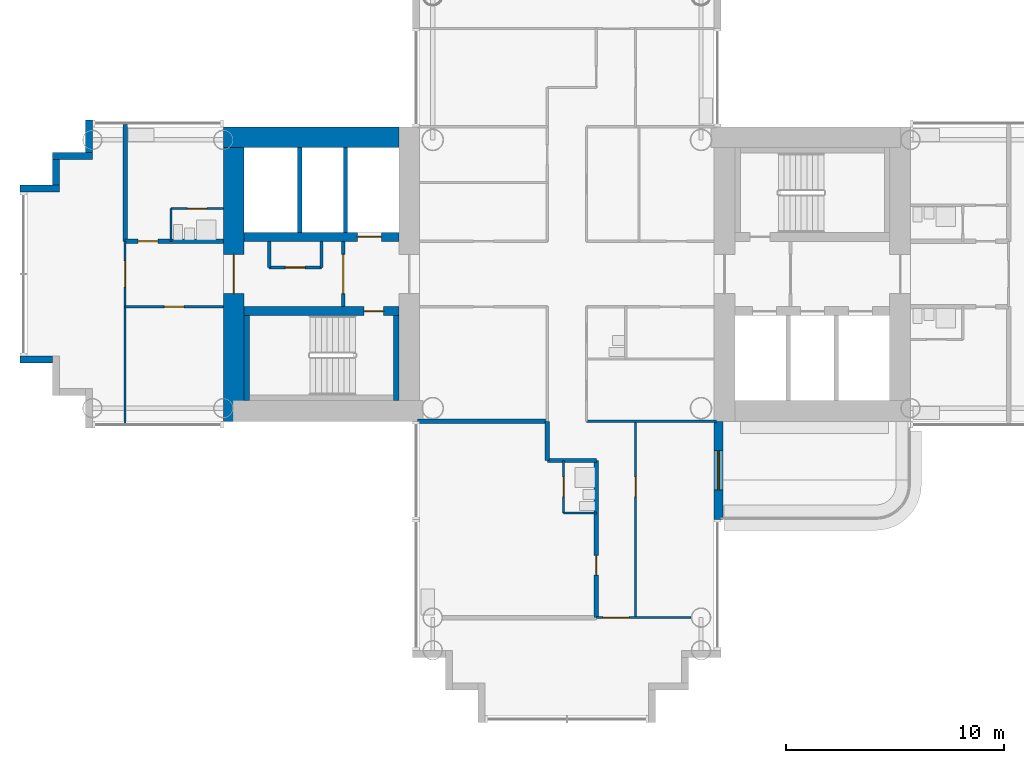
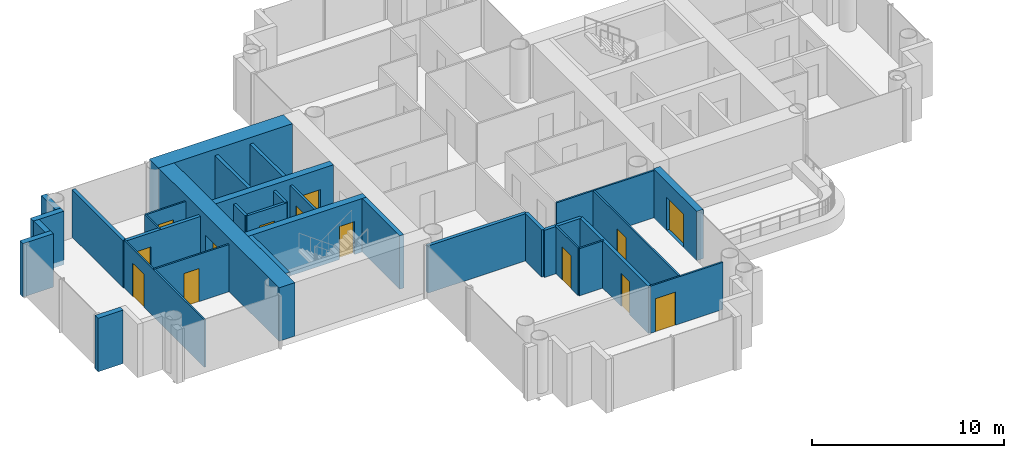
# One storey, part 9 of 21: 33 walls, 14 doors, 14 openings.
"""IFC4 building model written with IfcOpenShell, lengths in metres."""

import ifcopenshell
import ifcopenshell.guid

model = None  # the IFC model being written
_history = None  # IfcOwnerHistory: only IFC2X3 demands one
_inside = {}  # id of a spatial element -> (the spatial element, [elements in it])
_under = {}  # id of a project, library or spatial element -> (it, [spatial elements below it])
_declared = {}  # id of a project -> (the project, [libraries it declares])
_typed = {}  # id of a type object -> (the type object, [elements of that type])
_made_of = {}  # id of a material, layer set ... -> (it, [elements and type objects made of it])


def new_model(schema):
    """Start an empty IFC model of exactly this schema.

    Asked for "IFC4X3", IfcOpenShell would pick the latest addendum, in which some entities
    have other attributes; the version numbers below select the first issue.
    IFC2X3 requires an IfcOwnerHistory on every rooted entity: one is made here for all.
    """
    global model, _history
    if schema == "IFC4X3":
        model = ifcopenshell.file(schema_version=(4, 3, 0, 0))
    else:
        model = ifcopenshell.file(schema=schema)
    _inside.clear()
    _under.clear()
    _declared.clear()
    _typed.clear()
    _made_of.clear()
    _history = None
    if model.schema == "IFC2X3":
        org = make("IfcOrganization", Name="unknown")
        user = make(
            "IfcPersonAndOrganization",
            ThePerson=make("IfcPerson", FamilyName="unknown"),
            TheOrganization=org,
        )
        app = make(
            "IfcApplication",
            ApplicationDeveloper=org,
            Version="unknown",
            ApplicationFullName="unknown",
            ApplicationIdentifier="unknown",
        )
        _history = make(
            "IfcOwnerHistory",
            OwningUser=user,
            OwningApplication=app,
            ChangeAction="ADDED",
            CreationDate=0,
        )
    return model


def make(cls, **values):
    """One entity of the class cls with the attributes given. An attribute that is None is left unset."""
    return model.create_entity(
        cls, **{name: value for name, value in values.items() if value is not None}
    )


def rooted(cls, **values):
    """An entity with a GlobalId (a new one), such as an element, a storey or a relation."""
    return make(cls, GlobalId=ifcopenshell.guid.new(), OwnerHistory=_history, **values)


def si_unit(unit_type, name, prefix=None):
    """IfcSIUnit, for example si_unit("LENGTHUNIT", "METRE", prefix="MILLI")."""
    return make("IfcSIUnit", UnitType=unit_type, Prefix=prefix, Name=name)


def assignment(units):
    """IfcUnitAssignment: the units of a project."""
    return None if units is None else make("IfcUnitAssignment", Units=units)


def point(xyz):
    """IfcCartesianPoint."""
    return None if xyz is None else make("IfcCartesianPoint", Coordinates=xyz)


def direction(xyz):
    """IfcDirection."""
    return None if xyz is None else make("IfcDirection", DirectionRatios=xyz)


def frame(location, z_axis=None, x_axis=None):
    """IfcAxis2Placement3D, a coordinate frame: its origin and axes. An axis left out is left unset."""
    return make(
        "IfcAxis2Placement3D",
        Location=point(location),
        Axis=direction(z_axis),
        RefDirection=direction(x_axis),
    )


def frame_2d(location, x_axis=None):
    """IfcAxis2Placement2D, a coordinate frame in the plane: its origin and x axis."""
    return make(
        "IfcAxis2Placement2D", Location=point(location), RefDirection=direction(x_axis)
    )


def origin():
    """The frame at (0, 0, 0) with its axes left unset."""
    return frame((0.0, 0.0, 0.0))


def place(relative_to, where):
    """IfcLocalPlacement: puts the frame where relative to a parent placement (None: the world)."""
    return make(
        "IfcLocalPlacement", PlacementRelTo=relative_to, RelativePlacement=where
    )


def context(
    kind, dimensions, precision=None, world=None, true_north=None, identifier=None
):
    """IfcGeometricRepresentationContext, for example the 3D "Model" context."""
    return make(
        "IfcGeometricRepresentationContext",
        ContextIdentifier=identifier,
        ContextType=kind,
        CoordinateSpaceDimension=dimensions,
        Precision=precision,
        WorldCoordinateSystem=world,
        TrueNorth=true_north,
    )


def subcontext(parent, identifier, kind, view, scale=None):
    """IfcGeometricRepresentationSubContext, for example "Body" below "Model"."""
    return make(
        "IfcGeometricRepresentationSubContext",
        ContextIdentifier=identifier,
        ContextType=kind,
        ParentContext=parent,
        TargetScale=scale,
        TargetView=view,
    )


def project(units=None, contexts=None):
    """IfcProject with its units and contexts."""
    return rooted(
        "IfcProject",
        Name="project",
        RepresentationContexts=contexts,
        UnitsInContext=assignment(units),
    )


def spatial(cls, under=None, at=None, **own):
    """A site, building, storey or space (cls), placed at a placement, below another one or the project."""
    s = rooted(cls, ObjectPlacement=at, **own)
    if under is not None:
        _under.setdefault(under.id(), (under, []))[1].append(s)
    return s


def profile(cls, at=None, kind="AREA", **sizes):
    """A parametric profile (cls). Its sizes go by their IFC names, for example OverallWidth=200.0."""
    return make(cls, ProfileType=kind, Position=at, **sizes)


def rectangle(**sizes):
    """IfcRectangleProfileDef."""
    return profile("IfcRectangleProfileDef", **sizes)


def extrude(swept, where, along, depth):
    """IfcExtrudedAreaSolid: the profile swept, set in the frame where, extruded along a direction by depth."""
    return make(
        "IfcExtrudedAreaSolid",
        SweptArea=swept,
        Position=where,
        ExtrudedDirection=direction(along),
        Depth=depth,
    )


def shape(context_of_items, identifier, shape_type, items):
    """IfcShapeRepresentation: the items that make up one representation, for example the "Body"."""
    return make(
        "IfcShapeRepresentation",
        ContextOfItems=context_of_items,
        RepresentationIdentifier=identifier,
        RepresentationType=shape_type,
        Items=items,
    )


def material(Name=None, Category=None):
    """IfcMaterial."""
    return make("IfcMaterial", Name=Name, Category=Category)


def layer(
    of_material, thickness, ventilated=None, Name=None, Category=None, Priority=None
):
    """IfcMaterialLayer: one layer of a wall or slab, of a material (None: an air gap)."""
    return make(
        "IfcMaterialLayer",
        Material=of_material,
        LayerThickness=thickness,
        IsVentilated=ventilated,
        Name=Name,
        Category=Category,
        Priority=Priority,
    )


def layer_set(layers, Name=None):
    """IfcMaterialLayerSet."""
    return make("IfcMaterialLayerSet", MaterialLayers=layers, LayerSetName=Name)


def made_of(thing, what):
    """Note that an element or type object is made of a material, layer set ...; save() writes the relation."""
    if what is not None:
        _made_of.setdefault(what.id(), (what, []))[1].append(thing)
    return thing


def type_object(cls, material=None, **own):
    """A type object (cls), such as IfcWallType, which elements share."""
    return made_of(rooted(cls, **own), material)


def element(
    cls,
    number,
    at=None,
    inside=None,
    cuts=None,
    type_object=None,
    material=None,
    context=None,
    identifier="Body",
    shape_type=None,
    held_by="IfcProductDefinitionShape",
    body=None,
    shapes=None,
    **own,
):
    """One element of the class cls, such as IfcWall. Its Tag is "e" and its number.

    at: its placement. inside: the storey or other place that contains it. cuts: it is an
    opening in that element (IfcRelVoidsElement). A single representation is given by context,
    identifier, shape_type and body (its items); several are given by shapes. held_by: the class
    of the entity that holds the representations. save() writes the other relations.
    """
    e = rooted(cls, Tag="e%d" % number, ObjectPlacement=at, **own)
    if body is not None:
        shapes = [shape(context, identifier, shape_type, body)]
    if shapes is not None:
        e.Representation = make(held_by, Representations=shapes)
    if inside is not None:
        _inside.setdefault(inside.id(), (inside, []))[1].append(e)
    if cuts is not None:
        rooted(
            "IfcRelVoidsElement", RelatingBuildingElement=cuts, RelatedOpeningElement=e
        )
    if type_object is not None:
        _typed.setdefault(type_object.id(), (type_object, []))[1].append(e)
    return made_of(e, material)


def fill(opening, filler):
    """IfcRelFillsElement: the door or window that sits in an opening."""
    return rooted(
        "IfcRelFillsElement",
        RelatingOpeningElement=opening,
        RelatedBuildingElement=filler,
    )


def aggregate(whole, parts):
    """IfcRelAggregates: a whole, such as a stair, and the parts it consists of."""
    return rooted("IfcRelAggregates", RelatingObject=whole, RelatedObjects=parts)


def save(model, path):
    """Write the relations noted so far, then the file.

    IfcRelAggregates (storeys below a building ...), IfcRelContainedInSpatialStructure (elements
    in a storey), IfcRelDefinesByType, IfcRelAssociatesMaterial and IfcRelDeclares: one each for
    every whole, place, type object, material and project.
    """
    for whole, parts in _under.values():
        aggregate(whole, parts)
    for where, things in _inside.values():
        rooted(
            "IfcRelContainedInSpatialStructure",
            RelatedElements=things,
            RelatingStructure=where,
        )
    for kind, things in _typed.values():
        rooted("IfcRelDefinesByType", RelatedObjects=things, RelatingType=kind)
    for what, things in _made_of.values():
        rooted("IfcRelAssociatesMaterial", RelatedObjects=things, RelatingMaterial=what)
    for by, libraries in _declared.values():
        rooted("IfcRelDeclares", RelatingContext=by, RelatedDefinitions=libraries)
    model.write(path)


model = new_model("IFC4")

# Units and contexts
model_context = context("Model", 3, precision=1e-05, world=origin(), true_north=direction((0.0, 1.0)))
body_context = subcontext(model_context, "Body", "Model", "MODEL_VIEW")
ifc_project = project(units=[si_unit("LENGTHUNIT", "METRE"), si_unit("AREAUNIT", "SQUARE_METRE"), si_unit("VOLUMEUNIT", "CUBIC_METRE"), si_unit("PLANEANGLEUNIT", "RADIAN"), si_unit("MASSUNIT", "GRAM", prefix="KILO")], contexts=[model_context])

# Site, building, storey
site_placement = place(None, origin())
site = spatial("IfcSite", under=ifc_project, at=site_placement, CompositionType="ELEMENT")
building_placement = place(site_placement, origin())
building = spatial("IfcBuilding", under=site, at=building_placement, Name="Ipe Terrace Towers", CompositionType="ELEMENT")
storey_placement = place(building_placement, frame((0.0, 0.0, 103.800048828125)))
storey = spatial("IfcBuildingStorey", under=building, at=storey_placement, Name="L28", CompositionType="ELEMENT", Elevation=103.800048828125)

# Wall, opening, door
ifc_material_1 = material(Name="Concrete C40/50 with buff precast cladding", Category="concrete")
ifc_layer_1 = layer(ifc_material_1, 0.39990234375)
ifc_layer_set_1 = layer_set([ifc_layer_1], Name="BALCONY BAY WALL 400")
wall_type_1 = type_object("IfcWallType", Name="BALCONY BAY WALL 400", PredefinedType="STANDARD", material=ifc_layer_set_1)
wall_1_placement = place(storey_placement, frame((-29.050048828125, -11.25, -0.02001953125), z_axis=(0.0, 0.0, 1.0), x_axis=(0.0, 1.0, 0.0)))
wall_1 = element("IfcWall", 1, at=wall_1_placement, inside=storey, type_object=wall_type_1, Name="T1-W-L28-18a wall", PredefinedType="STANDARD", context=body_context, shape_type="SweptSolid", body=[
    extrude(rectangle(XDim=4.5, YDim=0.39990234375, at=frame_2d((2.25, 0.0))), origin(), (0.0, 0.0, 1.0), 3.119873046875),
])
opening_1_placement = place(wall_1_placement, frame((1.35009765625, 0.0, 0.02001953125)))
opening_1 = element("IfcOpeningElement", 2, at=opening_1_placement, cuts=wall_1, Name="Opening T1-D-L28-18", PredefinedType="OPENING", context=body_context, shape_type="SweptSolid", body=[
    extrude(rectangle(XDim=1.800048828125, YDim=2.10009765625, at=frame_2d((0.89990234375, 1.050048828125))), frame((0.0, 0.2099609375, 0.0), z_axis=(0.0, -1.0, 0.0), x_axis=(1.0, 0.0, 0.0)), (0.0, 0.0, 1.0), 0.419921875),
])
ifc_material_2 = material(Name="Aluminium alloy 6063-T6 framed glazed door", Category="aluminium")
door_type_1 = type_object("IfcDoorType", Name="BALCONY DOOR 1800 x 2100 LEFT", OperationType="SINGLE_SWING_LEFT", PredefinedType="DOOR", material=ifc_material_2)
door_1_placement = place(opening_1_placement, origin())
door_1 = element("IfcDoor", 3, at=door_1_placement, inside=storey, type_object=door_type_1, Name="DB1 door", OperationType="SINGLE_SWING_LEFT", OverallHeight=2.10009765625, OverallWidth=1.800048828125, PredefinedType="DOOR", context=body_context, shape_type="SweptSolid", body=[
    extrude(rectangle(XDim=1.800048828125, YDim=2.10009765625, at=frame_2d((0.89990234375, 1.050048828125))), frame((0.0, 0.02490234375, 0.0), z_axis=(0.0, -1.0, 0.0), x_axis=(1.0, 0.0, 0.0)), (0.0, 0.0, 1.0), 0.050048828125),
])
fill(opening_1, door_1)

# Walls
ifc_material_3 = material(Name="Concrete C40/50 with buff precast cladding", Category="concrete")
ifc_layer_2 = layer(ifc_material_3, 0.320068359375)
ifc_layer_set_2 = layer_set([ifc_layer_2], Name="BUFF CLADDING WALL 320")
wall_type_2 = type_object("IfcWallType", Name="BUFF CLADDING WALL 320", PredefinedType="STANDARD", material=ifc_layer_set_2)
for number, where, z_axis, x_axis, name in (
    (4, (-61.070068359375, -3.909912109375, -0.300048828125), (0.0, 0.0, 1.0), (1.0, 0.0, 0.0), "T1-W-L28-00a wall"),
    (5, (-57.909912109375, 7.070068359375, -0.300048828125), (0.0, 0.0, 1.0), (0.0, -1.0, 0.0), "T1-W-L28-47a wall"),
):
    element("IfcWall", number, at=place(storey_placement, frame(where, z_axis=z_axis, x_axis=x_axis)), inside=storey, type_object=wall_type_2, Name=name, PredefinedType="STANDARD", context=body_context, shape_type="SweptSolid", body=[
        extrude(rectangle(XDim=1.5, YDim=0.320068359375, at=frame_2d((0.75, 0.0))), origin(), (0.0, 0.0, 1.0), 3.39990234375),
    ])
wall_2_placement = place(storey_placement, frame((-57.75, 5.409912109375, -0.300048828125), z_axis=(0.0, 0.0, 1.0), x_axis=(-1.0, 0.0, 0.0)))
element("IfcWall", 6, at=wall_2_placement, inside=storey, type_object=wall_type_2, Name="T1-W-L28-48a wall", PredefinedType="STANDARD", context=body_context, shape_type="SweptSolid", body=[
    extrude(rectangle(XDim=1.820068359375, YDim=0.320068359375, at=frame_2d((0.91015625, 0.0))), origin(), (0.0, 0.0, 1.0), 3.39990234375),
])
wall_3_placement = place(storey_placement, frame((-59.409912109375, 5.25, -0.300048828125), z_axis=(0.0, 0.0, 1.0), x_axis=(0.0, -1.0, 0.0)))
element("IfcWall", 7, at=wall_3_placement, inside=storey, type_object=wall_type_2, Name="T1-W-L28-49a wall", PredefinedType="STANDARD", context=body_context, shape_type="SweptSolid", body=[
    extrude(rectangle(XDim=1.179931640625, YDim=0.320068359375, at=frame_2d((0.58984375, 0.0))), origin(), (0.0, 0.0, 1.0), 3.39990234375),
])
wall_4_placement = place(storey_placement, frame((-59.25, 3.909912109375, -0.300048828125), z_axis=(0.0, 0.0, 1.0), x_axis=(-1.0, 0.0, 0.0)))
element("IfcWall", 8, at=wall_4_placement, inside=storey, type_object=wall_type_2, Name="T1-W-L28-50a wall", PredefinedType="STANDARD", context=body_context, shape_type="SweptSolid", body=[
    extrude(rectangle(XDim=1.820068359375, YDim=0.320068359375, at=frame_2d((0.91015625, 0.0))), origin(), (0.0, 0.0, 1.0), 3.39990234375),
])

# Wall, opening, door
ifc_material_4 = material(Name="Gypsum board partition", Category="plasterboard")
ifc_layer_3 = layer(ifc_material_4, 0.10009765625)
ifc_layer_set_3 = layer_set([ifc_layer_3], Name="Gypsum board partition 100 mm")
wall_type_3 = type_object("IfcWallType", Name="Gypsum board partition 100 mm", PredefinedType="PARTITIONING", material=ifc_layer_set_3)
wall_5_placement = place(storey_placement, frame((-56.25, -6.85009765625, 0.0), z_axis=(0.0, 0.0, 1.0), x_axis=(0.0, 1.0, 0.0)))
wall_5 = element("IfcWall", 9, at=wall_5_placement, inside=storey, type_object=wall_type_3, Name="Gypsum board partition T1 L28 W01", PredefinedType="PARTITIONING", context=body_context, shape_type="SweptSolid", body=[
    extrude(rectangle(XDim=8.35009765625, YDim=0.10009765625, at=frame_2d((4.175048828125, 0.0))), origin(), (0.0, 0.0, 1.0), 3.0),
])
opening_2_placement = place(wall_5_placement, frame((6.25, 0.0, 0.0)))
opening_2 = element("IfcOpeningElement", 10, at=opening_2_placement, cuts=wall_5, Name="Opening T1-Z2E-25", PredefinedType="OPENING", context=body_context, shape_type="SweptSolid", body=[
    extrude(rectangle(XDim=1.199951171875, YDim=2.10009765625, at=frame_2d((0.60009765625, 1.050048828125))), frame((0.0, 0.06005859375, 0.0), z_axis=(0.0, -1.0, 0.0), x_axis=(1.0, 0.0, 0.0)), (0.0, 0.0, 1.0), 0.1201171875),
])
ifc_material_5 = material(Name="Timber door leaf", Category="wood")
door_type_2 = type_object("IfcDoorType", Name="Lounge door 1200 x 2100", OperationType="NOTDEFINED", PredefinedType="DOOR", material=ifc_material_5)
door_2_placement = place(opening_2_placement, origin())
door_2 = element("IfcDoor", 11, at=door_2_placement, inside=storey, type_object=door_type_2, Name="Lounge door T1-Z2E-25", OperationType="SINGLE_SWING_LEFT", OverallHeight=2.10009765625, OverallWidth=1.199951171875, PredefinedType="DOOR", context=body_context, shape_type="SweptSolid", body=[
    extrude(rectangle(XDim=1.199951171875, YDim=2.10009765625, at=frame_2d((0.60009765625, 1.050048828125))), frame((0.0, 0.02490234375, 0.0), z_axis=(0.0, -1.0, 0.0), x_axis=(1.0, 0.0, 0.0)), (0.0, 0.0, 1.0), 0.050048828125),
])
fill(opening_2, door_2)

# Wall
wall_6_placement = place(storey_placement, frame((-54.14990234375, 1.5, 0.0), z_axis=(0.0, 0.0, 1.0), x_axis=(0.0, 1.0, 0.0)))
element("IfcWall", 12, at=wall_6_placement, inside=storey, type_object=wall_type_3, Name="Gypsum board partition T1 L28 W03", PredefinedType="PARTITIONING", context=body_context, shape_type="SweptSolid", body=[
    extrude(rectangle(XDim=1.5, YDim=0.10009765625, at=frame_2d((0.75, 0.0))), origin(), (0.0, 0.0, 1.0), 3.0),
])

# Wall, opening, door
wall_7_placement = place(storey_placement, frame((-36.14990234375, -10.949951171875, 0.0), z_axis=(0.0, 0.0, 1.0), x_axis=(0.0, 1.0, 0.0)))
wall_7 = element("IfcWall", 13, at=wall_7_placement, inside=storey, type_object=wall_type_3, Name="Gypsum board partition T1 L28 W07", PredefinedType="PARTITIONING", context=body_context, shape_type="SweptSolid", body=[
    extrude(rectangle(XDim=2.39990234375, YDim=0.10009765625, at=frame_2d((1.199951171875, 0.0))), origin(), (0.0, 0.0, 1.0), 3.0),
])
opening_3_placement = place(wall_7_placement, frame((0.75, 0.0, 0.0)))
opening_3 = element("IfcOpeningElement", 14, at=opening_3_placement, cuts=wall_7, Name="Opening T1-Z2E-14", PredefinedType="OPENING", context=body_context, shape_type="SweptSolid", body=[
    extrude(rectangle(XDim=0.89990234375, YDim=2.10009765625, at=frame_2d((0.449951171875, 1.050048828125))), frame((0.0, 0.06005859375, 0.0), z_axis=(0.0, -1.0, 0.0), x_axis=(1.0, 0.0, 0.0)), (0.0, 0.0, 1.0), 0.1201171875),
])
ifc_material_6 = material(Name="Timber door leaf", Category="wood")
door_type_3 = type_object("IfcDoorType", Name="Bathroom door 900 x 2100", OperationType="NOTDEFINED", PredefinedType="DOOR", material=ifc_material_6)
door_3_placement = place(opening_3_placement, origin())
door_3 = element("IfcDoor", 15, at=door_3_placement, inside=storey, type_object=door_type_3, Name="Bathroom door T1-Z2E-14", OperationType="SINGLE_SWING_RIGHT", OverallHeight=2.10009765625, OverallWidth=0.89990234375, PredefinedType="DOOR", context=body_context, shape_type="SweptSolid", body=[
    extrude(rectangle(XDim=0.89990234375, YDim=2.10009765625, at=frame_2d((0.449951171875, 1.050048828125))), frame((0.0, 0.02490234375, 0.0), z_axis=(0.0, -1.0, 0.0), x_axis=(1.0, 0.0, 0.0)), (0.0, 0.0, 1.0), 0.050048828125),
])
fill(opening_3, door_3)

wall_8_placement = place(storey_placement, frame((-32.85009765625, -15.75, 0.0), z_axis=(0.0, 0.0, 1.0), x_axis=(0.0, 1.0, 0.0)))
wall_8 = element("IfcWall", 16, at=wall_8_placement, inside=storey, type_object=wall_type_3, Name="Gypsum board partition T1 L28 W13", PredefinedType="PARTITIONING", context=body_context, shape_type="SweptSolid", body=[
    extrude(rectangle(XDim=9.0, YDim=0.10009765625, at=frame_2d((4.5, 0.0))), origin(), (0.0, 0.0, 1.0), 3.0),
])
opening_4_placement = place(wall_8_placement, frame((5.550048828125, 0.0, 0.0)))
opening_4 = element("IfcOpeningElement", 17, at=opening_4_placement, cuts=wall_8, Name="Opening T1-Z2E-12", PredefinedType="OPENING", context=body_context, shape_type="SweptSolid", body=[
    extrude(rectangle(XDim=0.89990234375, YDim=2.10009765625, at=frame_2d((0.449951171875, 1.050048828125))), frame((0.0, 0.06005859375, 0.0), z_axis=(0.0, -1.0, 0.0), x_axis=(1.0, 0.0, 0.0)), (0.0, 0.0, 1.0), 0.1201171875),
])
ifc_material_7 = material(Name="Timber door leaf", Category="wood")
door_type_4 = type_object("IfcDoorType", Name="Lounge door 900 x 2100", OperationType="NOTDEFINED", PredefinedType="DOOR", material=ifc_material_7)
door_4_placement = place(opening_4_placement, origin())
door_4 = element("IfcDoor", 18, at=door_4_placement, inside=storey, type_object=door_type_4, Name="Lounge door T1-Z2E-12", OperationType="SINGLE_SWING_RIGHT", OverallHeight=2.10009765625, OverallWidth=0.89990234375, PredefinedType="DOOR", context=body_context, shape_type="SweptSolid", body=[
    extrude(rectangle(XDim=0.89990234375, YDim=2.10009765625, at=frame_2d((0.449951171875, 1.050048828125))), frame((0.0, 0.02490234375, 0.0), z_axis=(0.0, -1.0, 0.0), x_axis=(1.0, 0.0, 0.0)), (0.0, 0.0, 1.0), 0.050048828125),
])
fill(opening_4, door_4)

wall_9_placement = place(storey_placement, frame((-34.64990234375, -15.75, 0.0), z_axis=(0.0, 0.0, 1.0), x_axis=(1.0, 0.0, 0.0)))
wall_9 = element("IfcWall", 19, at=wall_9_placement, inside=storey, type_object=wall_type_3, Name="Gypsum board partition T1 L28 W21", PredefinedType="PARTITIONING", context=body_context, shape_type="SweptSolid", body=[
    extrude(rectangle(XDim=4.349853515625, YDim=0.10009765625, at=frame_2d((2.1748046875, 0.0))), origin(), (0.0, 0.0, 1.0), 3.0),
])
opening_5_placement = place(wall_9_placement, frame((0.300048828125, 0.0, 0.0)))
opening_5 = element("IfcOpeningElement", 20, at=opening_5_placement, cuts=wall_9, Name="Opening T1-Z2E-15", PredefinedType="OPENING", context=body_context, shape_type="SweptSolid", body=[
    extrude(rectangle(XDim=1.199951171875, YDim=2.10009765625, at=frame_2d((0.60009765625, 1.050048828125))), frame((0.0, 0.06005859375, 0.0), z_axis=(0.0, -1.0, 0.0), x_axis=(1.0, 0.0, 0.0)), (0.0, 0.0, 1.0), 0.1201171875),
])
door_5_placement = place(opening_5_placement, origin())
door_5 = element("IfcDoor", 21, at=door_5_placement, inside=storey, type_object=door_type_2, Name="Lounge door T1-Z2E-15", OperationType="SINGLE_SWING_LEFT", OverallHeight=2.10009765625, OverallWidth=1.199951171875, PredefinedType="DOOR", context=body_context, shape_type="SweptSolid", body=[
    extrude(rectangle(XDim=1.199951171875, YDim=2.10009765625, at=frame_2d((0.60009765625, 1.050048828125))), frame((0.0, 0.02490234375, 0.0), z_axis=(0.0, -1.0, 0.0), x_axis=(1.0, 0.0, 0.0)), (0.0, 0.0, 1.0), 0.050048828125),
])
fill(opening_5, door_5)

# Walls
wall_10_placement = place(storey_placement, frame((-36.14990234375, -10.949951171875, 0.0), z_axis=(0.0, 0.0, 1.0), x_axis=(1.0, 0.0, 0.0)))
element("IfcWall", 22, at=wall_10_placement, inside=storey, type_object=wall_type_3, Name="Gypsum board partition T1 L28 W23", PredefinedType="PARTITIONING", context=body_context, shape_type="SweptSolid", body=[
    extrude(rectangle(XDim=1.5, YDim=0.10009765625, at=frame_2d((0.75, 0.0))), origin(), (0.0, 0.0, 1.0), 3.0),
])
wall_11_placement = place(storey_placement, frame((-35.10009765625, -6.75, 0.0), z_axis=(0.0, 0.0, 1.0), x_axis=(1.0, 0.0, 0.0)))
element("IfcWall", 23, at=wall_11_placement, inside=storey, type_object=wall_type_3, Name="Gypsum board partition T1 L28 W25", PredefinedType="PARTITIONING", context=body_context, shape_type="SweptSolid", body=[
    extrude(rectangle(XDim=5.9501953125, YDim=0.10009765625, at=frame_2d((2.97509765625, 0.0))), origin(), (0.0, 0.0, 1.0), 3.0),
])

# Wall, opening, door
wall_12_placement = place(storey_placement, frame((-56.25, -1.5, 0.0), z_axis=(0.0, 0.0, 1.0), x_axis=(1.0, 0.0, 0.0)))
wall_12 = element("IfcWall", 24, at=wall_12_placement, inside=storey, type_object=wall_type_3, Name="Gypsum board partition T1 L28 W29", PredefinedType="PARTITIONING", context=body_context, shape_type="SweptSolid", body=[
    extrude(rectangle(XDim=4.5, YDim=0.10009765625, at=frame_2d((2.25, 0.0))), origin(), (0.0, 0.0, 1.0), 3.0),
])
opening_6_placement = place(wall_12_placement, frame((1.800048828125, 0.0, 0.0)))
opening_6 = element("IfcOpeningElement", 25, at=opening_6_placement, cuts=wall_12, Name="Opening T1-Z2E-22", PredefinedType="OPENING", context=body_context, shape_type="SweptSolid", body=[
    extrude(rectangle(XDim=0.89990234375, YDim=2.10009765625, at=frame_2d((0.449951171875, 1.050048828125))), frame((0.0, 0.06005859375, 0.0), z_axis=(0.0, -1.0, 0.0), x_axis=(1.0, 0.0, 0.0)), (0.0, 0.0, 1.0), 0.1201171875),
])
door_6_placement = place(opening_6_placement, origin())
door_6 = element("IfcDoor", 26, at=door_6_placement, inside=storey, type_object=door_type_4, Name="Lounge door T1-Z2E-22", OperationType="SINGLE_SWING_RIGHT", OverallHeight=2.10009765625, OverallWidth=0.89990234375, PredefinedType="DOOR", context=body_context, shape_type="SweptSolid", body=[
    extrude(rectangle(XDim=0.89990234375, YDim=2.10009765625, at=frame_2d((0.449951171875, 1.050048828125))), frame((0.0, 0.02490234375, 0.0), z_axis=(0.0, -1.0, 0.0), x_axis=(1.0, 0.0, 0.0)), (0.0, 0.0, 1.0), 0.050048828125),
])
fill(opening_6, door_6)

wall_13_placement = place(storey_placement, frame((-54.14990234375, 3.0, 0.0), z_axis=(0.0, 0.0, 1.0), x_axis=(1.0, 0.0, 0.0)))
wall_13 = element("IfcWall", 27, at=wall_13_placement, inside=storey, type_object=wall_type_3, Name="Gypsum board partition T1 L28 W37", PredefinedType="PARTITIONING", context=body_context, shape_type="SweptSolid", body=[
    extrude(rectangle(XDim=2.39990234375, YDim=0.10009765625, at=frame_2d((1.199951171875, 0.0))), origin(), (0.0, 0.0, 1.0), 3.0),
])
opening_7_placement = place(wall_13_placement, frame((0.75, 0.0, 0.0)))
opening_7 = element("IfcOpeningElement", 28, at=opening_7_placement, cuts=wall_13, Name="Opening T1-Z2E-24", PredefinedType="OPENING", context=body_context, shape_type="SweptSolid", body=[
    extrude(rectangle(XDim=0.89990234375, YDim=2.10009765625, at=frame_2d((0.449951171875, 1.050048828125))), frame((0.0, 0.06005859375, 0.0), z_axis=(0.0, -1.0, 0.0), x_axis=(1.0, 0.0, 0.0)), (0.0, 0.0, 1.0), 0.1201171875),
])
door_7_placement = place(opening_7_placement, origin())
door_7 = element("IfcDoor", 29, at=door_7_placement, inside=storey, type_object=door_type_3, Name="Bathroom door T1-Z2E-24", OperationType="SINGLE_SWING_RIGHT", OverallHeight=2.10009765625, OverallWidth=0.89990234375, PredefinedType="DOOR", context=body_context, shape_type="SweptSolid", body=[
    extrude(rectangle(XDim=0.89990234375, YDim=2.10009765625, at=frame_2d((0.449951171875, 1.050048828125))), frame((0.0, 0.02490234375, 0.0), z_axis=(0.0, -1.0, 0.0), x_axis=(1.0, 0.0, 0.0)), (0.0, 0.0, 1.0), 0.050048828125),
])
fill(opening_7, door_7)

ifc_material_8 = material(Name="Gypsum board partition", Category="plasterboard")
ifc_layer_4 = layer(ifc_material_8, 0.14990234375)
ifc_layer_set_4 = layer_set([ifc_layer_4], Name="Gypsum board partition 150 mm")
wall_type_4 = type_object("IfcWallType", Name="Gypsum board partition 150 mm", PredefinedType="PARTITIONING", material=ifc_layer_set_4)
wall_14_placement = place(storey_placement, frame((-46.25, 1.5, 0.0), z_axis=(0.0, 0.0, 1.0), x_axis=(0.0, -1.0, 0.0)))
wall_14 = element("IfcWall", 30, at=wall_14_placement, inside=storey, type_object=wall_type_4, Name="Gypsum board partition T1 L28 t1c2-lobby-wall", PredefinedType="PARTITIONING", context=body_context, shape_type="SweptSolid", body=[
    extrude(rectangle(XDim=3.0, YDim=0.14990234375, at=frame_2d((1.5, 0.0))), origin(), (0.0, 0.0, 1.0), 3.0),
])
opening_8_placement = place(wall_14_placement, frame((0.60009765625, 0.0, 0.0)))
opening_8 = element("IfcOpeningElement", 31, at=opening_8_placement, cuts=wall_14, Name="Opening T1C2-VD", PredefinedType="OPENING", context=body_context, shape_type="SweptSolid", body=[
    extrude(rectangle(XDim=1.800048828125, YDim=2.10009765625, at=frame_2d((0.89990234375, 1.050048828125))), frame((0.0, 0.0849609375, 0.0), z_axis=(0.0, -1.0, 0.0), x_axis=(1.0, 0.0, 0.0)), (0.0, 0.0, 1.0), 0.169921875),
])
ifc_material_9 = material(Name="Fire-rated timber door leaf", Category="wood")
door_type_5 = type_object("IfcDoorType", Name="Lobby door 1800 x 2100 FD60", OperationType="NOTDEFINED", PredefinedType="DOOR", material=ifc_material_9)
door_8_placement = place(opening_8_placement, origin())
door_8 = element("IfcDoor", 32, at=door_8_placement, inside=storey, type_object=door_type_5, Name="Lobby door T1C2-VD", OperationType="SINGLE_SWING_LEFT", OverallHeight=2.10009765625, OverallWidth=1.800048828125, PredefinedType="DOOR", context=body_context, shape_type="SweptSolid", body=[
    extrude(rectangle(XDim=1.800048828125, YDim=2.10009765625, at=frame_2d((0.89990234375, 1.050048828125))), frame((0.0, 0.02490234375, 0.0), z_axis=(0.0, -1.0, 0.0), x_axis=(1.0, 0.0, 0.0)), (0.0, 0.0, 1.0), 0.050048828125),
])
fill(opening_8, door_8)

wall_15_placement = place(storey_placement, frame((-47.25, 0.300048828125, 0.0), z_axis=(0.0, 0.0, 1.0), x_axis=(-1.0, 0.0, 0.0)))
wall_15 = element("IfcWall", 33, at=wall_15_placement, inside=storey, type_object=wall_type_4, Name="Gypsum board partition T1 L28 t1c2-cup-s-f", PredefinedType="PARTITIONING", context=body_context, shape_type="SweptSolid", body=[
    extrude(rectangle(XDim=2.39990234375, YDim=0.14990234375, at=frame_2d((1.199951171875, 0.0))), origin(), (0.0, 0.0, 1.0), 3.0),
])
opening_9_placement = place(wall_15_placement, frame((0.75, 0.0, 0.0)))
opening_9 = element("IfcOpeningElement", 34, at=opening_9_placement, cuts=wall_15, Name="Opening T1C2-SC", PredefinedType="OPENING", context=body_context, shape_type="SweptSolid", body=[
    extrude(rectangle(XDim=0.89990234375, YDim=2.10009765625, at=frame_2d((0.449951171875, 1.050048828125))), frame((0.0, 0.0849609375, 0.0), z_axis=(0.0, -1.0, 0.0), x_axis=(1.0, 0.0, 0.0)), (0.0, 0.0, 1.0), 0.169921875),
])
ifc_material_10 = material(Name="Fire-rated timber door leaf", Category="wood")
door_type_6 = type_object("IfcDoorType", Name="Service door 900 x 2100 FD30S", OperationType="NOTDEFINED", PredefinedType="DOOR", material=ifc_material_10)
door_9_placement = place(opening_9_placement, origin())
door_9 = element("IfcDoor", 35, at=door_9_placement, inside=storey, type_object=door_type_6, Name="Service door T1C2-SC", OperationType="SINGLE_SWING_LEFT", OverallHeight=2.10009765625, OverallWidth=0.89990234375, PredefinedType="DOOR", context=body_context, shape_type="SweptSolid", body=[
    extrude(rectangle(XDim=0.89990234375, YDim=2.10009765625, at=frame_2d((0.449951171875, 1.050048828125))), frame((0.0, 0.02490234375, 0.0), z_axis=(0.0, -1.0, 0.0), x_axis=(1.0, 0.0, 0.0)), (0.0, 0.0, 1.0), 0.050048828125),
])
fill(opening_9, door_9)

# Walls
for number, where, z_axis, x_axis, name in (
    (36, (-47.25, 0.300048828125, 0.0), (0.0, 0.0, 1.0), (0.0, 1.0, 0.0), "Gypsum board partition T1 L28 t1c2-cup-s-a"),
    (37, (-49.64990234375, 0.300048828125, 0.0), (0.0, 0.0, 1.0), (0.0, 1.0, 0.0), "Gypsum board partition T1 L28 t1c2-cup-s-b"),
):
    element("IfcWall", number, at=place(storey_placement, frame(where, z_axis=z_axis, x_axis=x_axis)), inside=storey, type_object=wall_type_4, Name=name, PredefinedType="PARTITIONING", context=body_context, shape_type="SweptSolid", body=[
        extrude(rectangle(XDim=1.199951171875, YDim=0.14990234375, at=frame_2d((0.60009765625, 0.0))), origin(), (0.0, 0.0, 1.0), 3.0),
    ])
ifc_material_11 = material(Name="Gypsum board party wall", Category="plasterboard")
ifc_layer_5 = layer(ifc_material_11, 0.199951171875)
ifc_layer_set_5 = layer_set([ifc_layer_5], Name="Gypsum board party wall 200 mm")
wall_type_5 = type_object("IfcWallType", Name="Gypsum board party wall 200 mm", PredefinedType="SOLIDWALL", material=ifc_layer_set_5)
for number, where, z_axis, x_axis, name in (
    (38, (-46.14990234375, 5.800048828125, 0.0), (0.0, 0.0, 1.0), (0.0, -1.0, 0.0), "Gypsum board party wall T1 L28 t1c2-shaft-div1"),
    (39, (-48.25, 5.800048828125, 0.0), (0.0, 0.0, 1.0), (0.0, -1.0, 0.0), "Gypsum board party wall T1 L28 t1c2-shaft-div2"),
):
    element("IfcWall", number, at=place(storey_placement, frame(where, z_axis=z_axis, x_axis=x_axis)), inside=storey, type_object=wall_type_5, Name=name, PredefinedType="SOLIDWALL", context=body_context, shape_type="SweptSolid", body=[
        extrude(rectangle(XDim=3.900146484375, YDim=0.199951171875, at=frame_2d((1.9501953125, 0.0))), origin(), (0.0, 0.0, 1.0), 3.0),
    ])
wall_16_placement = place(storey_placement, frame((-56.25, 1.5, 0.0), z_axis=(0.0, 0.0, 1.0), x_axis=(0.0, 1.0, 0.0)))
element("IfcWall", 40, at=wall_16_placement, inside=storey, type_object=wall_type_5, Name="Gypsum board party wall T1 L28 W02", PredefinedType="SOLIDWALL", context=body_context, shape_type="SweptSolid", body=[
    extrude(rectangle(XDim=5.35009765625, YDim=0.199951171875, at=frame_2d((2.675048828125, 0.0))), origin(), (0.0, 0.0, 1.0), 3.0),
])
wall_17_placement = place(storey_placement, frame((-36.89990234375, -8.550048828125, 0.0), z_axis=(0.0, 0.0, 1.0), x_axis=(0.0, 1.0, 0.0)))
element("IfcWall", 41, at=wall_17_placement, inside=storey, type_object=wall_type_5, Name="Gypsum board party wall T1 L28 W06", PredefinedType="SOLIDWALL", context=body_context, shape_type="SweptSolid", body=[
    extrude(rectangle(XDim=1.800048828125, YDim=0.199951171875, at=frame_2d((0.89990234375, 0.0))), origin(), (0.0, 0.0, 1.0), 3.0),
])

# Wall, opening, door
wall_18_placement = place(storey_placement, frame((-34.64990234375, -15.75, 0.0), z_axis=(0.0, 0.0, 1.0), x_axis=(0.0, 1.0, 0.0)))
wall_18 = element("IfcWall", 42, at=wall_18_placement, inside=storey, type_object=wall_type_5, Name="Gypsum board party wall T1 L28 W11", PredefinedType="SOLIDWALL", context=body_context, shape_type="SweptSolid", body=[
    extrude(rectangle(XDim=7.199951171875, YDim=0.199951171875, at=frame_2d((3.60009765625, 0.0))), origin(), (0.0, 0.0, 1.0), 3.0),
])
opening_10_placement = place(wall_18_placement, frame((1.949951171875, 0.0, 0.0)))
opening_10 = element("IfcOpeningElement", 43, at=opening_10_placement, cuts=wall_18, Name="Opening T1-Z2E-13", PredefinedType="OPENING", context=body_context, shape_type="SweptSolid", body=[
    extrude(rectangle(XDim=0.89990234375, YDim=2.10009765625, at=frame_2d((0.449951171875, 1.050048828125))), frame((0.0, 0.10986328125, 0.0), z_axis=(0.0, -1.0, 0.0), x_axis=(1.0, 0.0, 0.0)), (0.0, 0.0, 1.0), 0.219970703125),
])
ifc_material_12 = material(Name="Fire-rated timber door leaf", Category="wood")
door_type_7 = type_object("IfcDoorType", Name="Flat entrance door 900 x 2100 FD30S", OperationType="NOTDEFINED", PredefinedType="DOOR", material=ifc_material_12)
door_10_placement = place(opening_10_placement, origin())
door_10 = element("IfcDoor", 44, at=door_10_placement, inside=storey, type_object=door_type_7, Name="Flat entrance door T1-Z2E-13", OperationType="SINGLE_SWING_RIGHT", OverallHeight=2.10009765625, OverallWidth=0.89990234375, PredefinedType="DOOR", context=body_context, shape_type="SweptSolid", body=[
    extrude(rectangle(XDim=0.89990234375, YDim=2.10009765625, at=frame_2d((0.449951171875, 1.050048828125))), frame((0.0, 0.02490234375, 0.0), z_axis=(0.0, -1.0, 0.0), x_axis=(1.0, 0.0, 0.0)), (0.0, 0.0, 1.0), 0.050048828125),
])
fill(opening_10, door_10)

# Walls
wall_19_placement = place(storey_placement, frame((-36.89990234375, -8.550048828125, 0.0), z_axis=(0.0, 0.0, 1.0), x_axis=(1.0, 0.0, 0.0)))
element("IfcWall", 45, at=wall_19_placement, inside=storey, type_object=wall_type_5, Name="Gypsum board party wall T1 L28 W24", PredefinedType="SOLIDWALL", context=body_context, shape_type="SweptSolid", body=[
    extrude(rectangle(XDim=2.25, YDim=0.199951171875, at=frame_2d((1.125, 0.0))), origin(), (0.0, 0.0, 1.0), 3.0),
])
wall_20_placement = place(storey_placement, frame((-42.85009765625, -6.75, 0.0), z_axis=(0.0, 0.0, 1.0), x_axis=(1.0, 0.0, 0.0)))
element("IfcWall", 46, at=wall_20_placement, inside=storey, type_object=wall_type_5, Name="Gypsum board party wall T1 L28 W26", PredefinedType="SOLIDWALL", context=body_context, shape_type="SweptSolid", body=[
    extrude(rectangle(XDim=5.9501953125, YDim=0.199951171875, at=frame_2d((2.97509765625, 0.0))), origin(), (0.0, 0.0, 1.0), 3.0),
])

# Wall, opening, door
wall_21_placement = place(storey_placement, frame((-56.25, 1.5, 0.0), z_axis=(0.0, 0.0, 1.0), x_axis=(1.0, 0.0, 0.0)))
wall_21 = element("IfcWall", 47, at=wall_21_placement, inside=storey, type_object=wall_type_5, Name="Gypsum board party wall T1 L28 W35", PredefinedType="SOLIDWALL", context=body_context, shape_type="SweptSolid", body=[
    extrude(rectangle(XDim=4.5, YDim=0.199951171875, at=frame_2d((2.25, 0.0))), origin(), (0.0, 0.0, 1.0), 3.0),
])
opening_11_placement = place(wall_21_placement, frame((0.60009765625, 0.0, 0.0)))
opening_11 = element("IfcOpeningElement", 48, at=opening_11_placement, cuts=wall_21, Name="Opening T1-Z2E-23", PredefinedType="OPENING", context=body_context, shape_type="SweptSolid", body=[
    extrude(rectangle(XDim=0.89990234375, YDim=2.10009765625, at=frame_2d((0.449951171875, 1.050048828125))), frame((0.0, 0.10986328125, 0.0), z_axis=(0.0, -1.0, 0.0), x_axis=(1.0, 0.0, 0.0)), (0.0, 0.0, 1.0), 0.219970703125),
])
door_11_placement = place(opening_11_placement, origin())
door_11 = element("IfcDoor", 49, at=door_11_placement, inside=storey, type_object=door_type_7, Name="Flat entrance door T1-Z2E-23", OperationType="SINGLE_SWING_RIGHT", OverallHeight=2.10009765625, OverallWidth=0.89990234375, PredefinedType="DOOR", context=body_context, shape_type="SweptSolid", body=[
    extrude(rectangle(XDim=0.89990234375, YDim=2.10009765625, at=frame_2d((0.449951171875, 1.050048828125))), frame((0.0, 0.02490234375, 0.0), z_axis=(0.0, -1.0, 0.0), x_axis=(1.0, 0.0, 0.0)), (0.0, 0.0, 1.0), 0.050048828125),
])
fill(opening_11, door_11)

# Walls
ifc_material_13 = material(Name="Concrete C50/60", Category="concrete")
ifc_layer_6 = layer(ifc_material_13, 0.25)
ifc_layer_set_6 = layer_set([ifc_layer_6], Name="RW250 CORE INFILL WALL 250 C50-60")
wall_type_6 = type_object("IfcWallType", Name="RW250 CORE INFILL WALL 250 C50-60", PredefinedType="SHEAR", material=ifc_layer_set_6)
for number, where, z_axis, x_axis, name in (
    (50, (-50.675048828125, -1.89990234375, 0.0), (0.0, 0.0, 1.0), (0.0, -1.0, 0.0), "Core infill wall T1-C2-far"),
    (51, (-43.824951171875, -1.89990234375, 0.0), (0.0, 0.0, 1.0), (0.0, -1.0, 0.0), "Core infill wall T1-C2-near"),
):
    element("IfcWall", number, at=place(storey_placement, frame(where, z_axis=z_axis, x_axis=x_axis)), inside=storey, type_object=wall_type_6, Name=name, PredefinedType="SHEAR", context=body_context, shape_type="SweptSolid", body=[
        extrude(rectangle(XDim=3.900146484375, YDim=0.25, at=frame_2d((1.9501953125, 0.0))), origin(), (0.0, 0.0, 1.0), 3.39990234375),
    ])

# Wall, opening, door
ifc_material_14 = material(Name="Concrete C50/60", Category="concrete")
ifc_layer_7 = layer(ifc_material_14, 0.39990234375)
ifc_layer_set_7 = layer_set([ifc_layer_7], Name="RW400 CORE SPINE WALL 400 C50-60")
wall_type_7 = type_object("IfcWallType", Name="RW400 CORE SPINE WALL 400 C50-60", PredefinedType="SHEAR", material=ifc_layer_set_7)
wall_22_placement = place(storey_placement, frame((-50.800048828125, -1.699951171875, 0.0), z_axis=(0.0, 0.0, 1.0), x_axis=(1.0, 0.0, 0.0)))
wall_22 = element("IfcWall", 52, at=wall_22_placement, inside=storey, type_object=wall_type_7, Name="Core spine wall T1-C2-Z2-SW1", PredefinedType="SHEAR", context=body_context, shape_type="SweptSolid", body=[
    extrude(rectangle(XDim=7.10009765625, YDim=0.39990234375, at=frame_2d((3.550048828125, 0.0))), origin(), (0.0, 0.0, 1.0), 3.39990234375),
])
opening_12_placement = place(wall_22_placement, frame((5.5, 0.0, 0.0)))
opening_12 = element("IfcOpeningElement", 53, at=opening_12_placement, cuts=wall_22, Name="Opening T1C2-SD", PredefinedType="OPENING", context=body_context, shape_type="SweptSolid", body=[
    extrude(rectangle(XDim=0.89990234375, YDim=2.10009765625, at=frame_2d((0.449951171875, 1.050048828125))), frame((0.0, 0.2099609375, 0.0), z_axis=(0.0, -1.0, 0.0), x_axis=(1.0, 0.0, 0.0)), (0.0, 0.0, 1.0), 0.419921875),
])
ifc_material_15 = material(Name="Fire-rated timber door leaf", Category="wood")
door_type_8 = type_object("IfcDoorType", Name="Stair door 900 x 2100 FD60", OperationType="NOTDEFINED", PredefinedType="DOOR", material=ifc_material_15)
door_12_placement = place(opening_12_placement, origin())
door_12 = element("IfcDoor", 54, at=door_12_placement, inside=storey, type_object=door_type_8, Name="Stair door T1C2-SD", OperationType="SINGLE_SWING_RIGHT", OverallHeight=2.10009765625, OverallWidth=0.89990234375, PredefinedType="DOOR", context=body_context, shape_type="SweptSolid", body=[
    extrude(rectangle(XDim=0.89990234375, YDim=2.10009765625, at=frame_2d((0.449951171875, 1.050048828125))), frame((0.0, 0.02490234375, 0.0), z_axis=(0.0, -1.0, 0.0), x_axis=(1.0, 0.0, 0.0)), (0.0, 0.0, 1.0), 0.050048828125),
])
fill(opening_12, door_12)

wall_23_placement = place(storey_placement, frame((-50.800048828125, 1.699951171875, 0.0), z_axis=(0.0, 0.0, 1.0), x_axis=(1.0, 0.0, 0.0)))
wall_23 = element("IfcWall", 55, at=wall_23_placement, inside=storey, type_object=wall_type_7, Name="Core spine wall T1-C2-Z2-SW2", PredefinedType="SHEAR", context=body_context, shape_type="SweptSolid", body=[
    extrude(rectangle(XDim=7.10009765625, YDim=0.39990234375, at=frame_2d((3.550048828125, 0.0))), origin(), (0.0, 0.0, 1.0), 3.39990234375),
])
opening_13_placement = place(wall_23_placement, frame((5.199951171875, 0.0, 0.0)))
opening_13 = element("IfcOpeningElement", 56, at=opening_13_placement, cuts=wall_23, Name="Opening T1C2-LD1", PredefinedType="OPENING", context=body_context, shape_type="SweptSolid", body=[
    extrude(rectangle(XDim=1.10009765625, YDim=2.10009765625, at=frame_2d((0.550048828125, 1.050048828125))), frame((0.0, 0.2099609375, 0.0), z_axis=(0.0, -1.0, 0.0), x_axis=(1.0, 0.0, 0.0)), (0.0, 0.0, 1.0), 0.419921875),
])
ifc_material_16 = material(Name="Fire-rated timber door leaf", Category="wood")
door_type_9 = type_object("IfcDoorType", Name="Sliding door 1100 x 2100 FD60", OperationType="SLIDING_TO_LEFT", PredefinedType="DOOR", material=ifc_material_16)
door_13_placement = place(opening_13_placement, origin())
door_13 = element("IfcDoor", 57, at=door_13_placement, inside=storey, type_object=door_type_9, Name="Sliding door T1C2-LD1", OperationType="SLIDING_TO_LEFT", OverallHeight=2.10009765625, OverallWidth=1.10009765625, PredefinedType="DOOR", context=body_context, shape_type="SweptSolid", body=[
    extrude(rectangle(XDim=1.10009765625, YDim=2.10009765625, at=frame_2d((0.550048828125, 1.050048828125))), frame((0.0, 0.02490234375, 0.0), z_axis=(0.0, -1.0, 0.0), x_axis=(1.0, 0.0, 0.0)), (0.0, 0.0, 1.0), 0.050048828125),
])
fill(opening_13, door_13)

# Wall
ifc_material_17 = material(Name="Concrete C50/60", Category="concrete")
ifc_layer_8 = layer(ifc_material_17, 0.949951171875)
ifc_layer_set_8 = layer_set([ifc_layer_8], Name="RW950 CORE WALL 950 C50-60")
wall_type_8 = type_object("IfcWallType", Name="RW950 CORE WALL 950 C50-60", PredefinedType="SHEAR", material=ifc_layer_set_8)
wall_24_placement = place(storey_placement, frame((-43.699951171875, 6.27490234375, 0.0), z_axis=(0.0, 0.0, 1.0), x_axis=(-1.0, 0.0, 0.0)))
element("IfcWall", 58, at=wall_24_placement, inside=storey, type_object=wall_type_8, Name="Core wall T1-C2-Z2-W03", PredefinedType="SHEAR", context=body_context, shape_type="SweptSolid", body=[
    extrude(rectangle(XDim=8.050048828125, YDim=0.949951171875, at=frame_2d((4.02490234375, 0.0))), origin(), (0.0, 0.0, 1.0), 3.39990234375),
])

# Wall, opening, door
wall_25_placement = place(storey_placement, frame((-51.27490234375, 5.800048828125, 0.0), z_axis=(0.0, 0.0, 1.0), x_axis=(0.0, -1.0, 0.0)))
wall_25 = element("IfcWall", 59, at=wall_25_placement, inside=storey, type_object=wall_type_8, Name="Core wall T1-C2-Z2-W04", PredefinedType="SHEAR", context=body_context, shape_type="SweptSolid", body=[
    extrude(rectangle(XDim=12.550048828125, YDim=0.949951171875, at=frame_2d((6.27490234375, 0.0))), origin(), (0.0, 0.0, 1.0), 3.39990234375),
])
opening_14_placement = place(wall_25_placement, frame((4.89990234375, 0.0, 0.0)))
opening_14 = element("IfcOpeningElement", 60, at=opening_14_placement, cuts=wall_25, Name="Opening T1C2-FD", PredefinedType="OPENING", context=body_context, shape_type="SweptSolid", body=[
    extrude(rectangle(XDim=1.800048828125, YDim=2.10009765625, at=frame_2d((0.89990234375, 1.050048828125))), frame((0.0, 0.48486328125, 0.0), z_axis=(0.0, -1.0, 0.0), x_axis=(1.0, 0.0, 0.0)), (0.0, 0.0, 1.0), 0.969970703125),
])
ifc_material_18 = material(Name="Fire-rated timber door leaf", Category="wood")
door_type_10 = type_object("IfcDoorType", Name="Fire door 1800 x 2100 FD30S", OperationType="NOTDEFINED", PredefinedType="DOOR", material=ifc_material_18)
door_14_placement = place(opening_14_placement, origin())
door_14 = element("IfcDoor", 61, at=door_14_placement, inside=storey, type_object=door_type_10, Name="Fire door T1C2-FD", OperationType="SINGLE_SWING_LEFT", OverallHeight=2.10009765625, OverallWidth=1.800048828125, PredefinedType="DOOR", context=body_context, shape_type="SweptSolid", body=[
    extrude(rectangle(XDim=1.800048828125, YDim=2.10009765625, at=frame_2d((0.89990234375, 1.050048828125))), frame((0.0, 0.02490234375, 0.0), z_axis=(0.0, -1.0, 0.0), x_axis=(1.0, 0.0, 0.0)), (0.0, 0.0, 1.0), 0.050048828125),
])
fill(opening_14, door_14)

save(model, "model.ifc")
